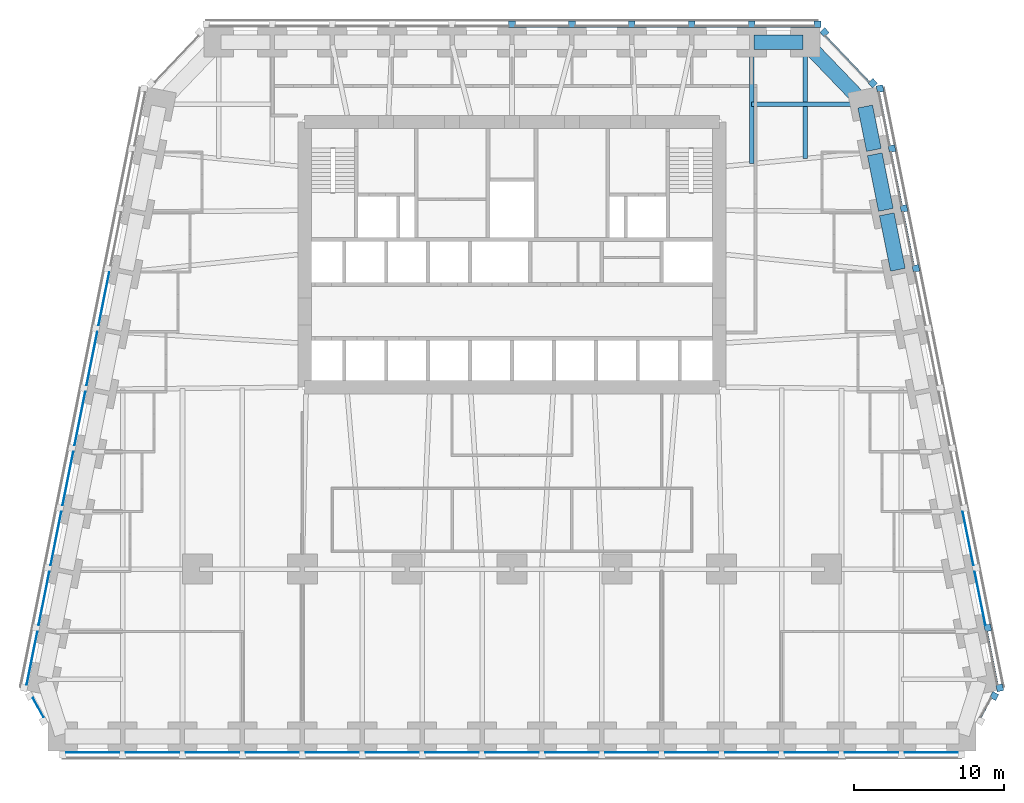
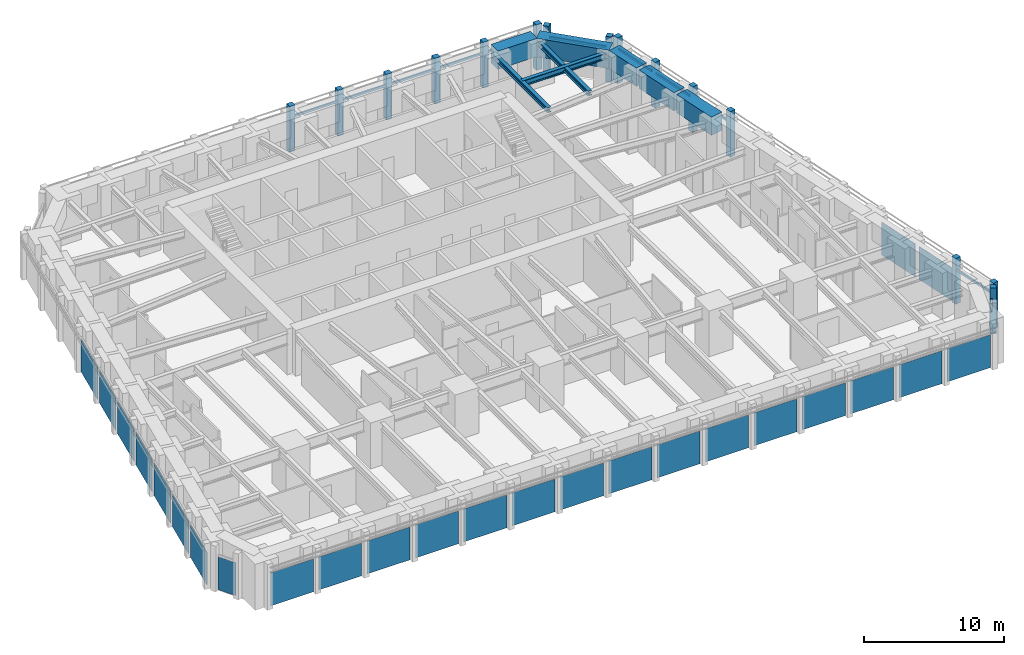
# One storey, part 4 of 10: 26 members, 25 plates, 8 beams, 7 elements without a shape of their own.
"""IFC4 building model written with IfcOpenShell, lengths in metres."""

from ifc_helpers import new_model, si_unit, direction, frame, origin, origin_2d, place, context, subcontext, project, spatial, rectangle, i_section, extrude, material, layer, layer_set, material_profile, profile_set, type_object, element, aggregate, save


model = new_model("IFC4")

# Units and contexts
model_context = context("Model", 3, precision=1e-05, world=origin(), true_north=direction((0.0, 1.0)))
body_context = subcontext(model_context, "Body", "Model", "MODEL_VIEW")
ifc_project = project(units=[si_unit("LENGTHUNIT", "METRE"), si_unit("AREAUNIT", "SQUARE_METRE"), si_unit("VOLUMEUNIT", "CUBIC_METRE"), si_unit("PLANEANGLEUNIT", "RADIAN"), si_unit("MASSUNIT", "GRAM", prefix="KILO")], contexts=[model_context])

# Site, building, storey
site_placement = place(None, origin())
site = spatial("IfcSite", under=ifc_project, at=site_placement, CompositionType="ELEMENT")
building_placement = place(site_placement, origin())
building = spatial("IfcBuilding", under=site, at=building_placement, Name="Isbrekke Arena Tower", CompositionType="ELEMENT")
storey_placement = place(building_placement, frame((0.0, 0.0, 88.0)))
storey = spatial("IfcBuildingStorey", under=building, at=storey_placement, Name="L19", CompositionType="ELEMENT", Elevation=88.0)

# Beams
ifc_material_1 = material(Name="Steel S355", Category="steel")
ifc_material_profile_1 = material_profile(ifc_material_1, i_section(OverallWidth=0.305908203125, OverallDepth=0.52392578125, WebThickness=0.02099609375, FlangeThickness=0.0400390625, FilletRadius=0.027099609375, at=origin_2d()), Name="HEM 500")
ifc_profile_set_1 = profile_set([ifc_material_profile_1], Name="Steel S355")
beam_type_1 = type_object("IfcBeamType", Name="B5 HEM 500", PredefinedType="BEAM", material=ifc_profile_set_1)
beam_1_placement = place(storey_placement, frame((23.40283203125, 25.029296875, 3.488037109375), z_axis=(-1.0, 0.0, 0.0), x_axis=(0.0, -1.0, 0.0)))
element("IfcBeam", 1, at=beam_1_placement, inside=storey, type_object=beam_type_1, Name="B5 beam E-E11 L19", PredefinedType="BEAM", context=body_context, shape_type="SweptSolid", body=[
    extrude(i_section(OverallWidth=0.305908203125, OverallDepth=0.52392578125, WebThickness=0.02099609375, FlangeThickness=0.0400390625, FilletRadius=0.027099609375, at=origin_2d()), origin(), (0.0, 0.0, 1.0), 7.40283203125),
])
ifc_material_2 = material(Name="Steel S355", Category="steel")
ifc_material_profile_2 = material_profile(ifc_material_2, i_section(OverallWidth=0.306884765625, OverallDepth=0.431884765625, WebThickness=0.02099609375, FlangeThickness=0.0400390625, FilletRadius=0.027099609375, at=origin_2d()), Name="HEM 400")
ifc_profile_set_2 = profile_set([ifc_material_profile_2], Name="Steel S355")
beam_type_2 = type_object("IfcBeamType", Name="B6 HEM 400", PredefinedType="BEAM", material=ifc_profile_set_2)
beam_2_placement = place(storey_placement, frame((19.574951171875, 29.02490234375, 3.533935546875), z_axis=(0.0, -1.0, 0.0), x_axis=(1.0, 0.0, 0.0)))
element("IfcBeam", 2, at=beam_2_placement, inside=storey, type_object=beam_type_2, Name="B6 beam N-N01 L19", PredefinedType="BEAM", context=body_context, shape_type="SweptSolid", body=[
    extrude(i_section(OverallWidth=0.306884765625, OverallDepth=0.431884765625, WebThickness=0.02099609375, FlangeThickness=0.0400390625, FilletRadius=0.027099609375, at=origin_2d()), origin(), (0.0, 0.0, 1.0), 7.616943359375),
])
beam_3_placement = place(storey_placement, frame((16.0, 29.02490234375, 3.533935546875), z_axis=(0.0, -1.0, 0.0), x_axis=(1.0, 0.0, 0.0)))
element("IfcBeam", 3, at=beam_3_placement, inside=storey, type_object=beam_type_2, Name="B6 beam N-N02 L19", PredefinedType="BEAM", context=body_context, shape_type="SweptSolid", body=[
    extrude(i_section(OverallWidth=0.306884765625, OverallDepth=0.431884765625, WebThickness=0.02099609375, FlangeThickness=0.0400390625, FilletRadius=0.027099609375, at=origin_2d()), origin(), (0.0, 0.0, 1.0), 7.961181640625),
])

# Curtain wall, member
ifc_material_3 = material(Name="Glazed aluminium curtain wall", Category="aluminium")
curtain_wall_type = type_object("IfcCurtainWallType", Name="CWL TOWER CURTAIN WALL LOW ZONE", PredefinedType="USERDEFINED", material=ifc_material_3)
curtain_wall_1_placement = place(storey_placement, origin())
curtain_wall_1 = element("IfcCurtainWall", 4, at=curtain_wall_1_placement, inside=storey, type_object=curtain_wall_type, Name="CWL curtain wall L19-SE", ObjectType="TOWER CURTAIN WALL LOW ZONE", PredefinedType="USERDEFINED")
ifc_material_4 = material(Name="Aluminium mullion, pale brick slip cladding", Category="masonry")
ifc_material_profile_3 = material_profile(ifc_material_4, rectangle(XDim=0.449951171875, YDim=0.449951171875, at=origin_2d()), Name="PIER 450X450")
ifc_profile_set_3 = profile_set([ifc_material_profile_3], Name="Aluminium mullion, pale brick slip cladding")
member_type_1 = type_object("IfcMemberType", Name="CWL-M PIER MULLION 450 x 450", PredefinedType="MULLION", material=ifc_profile_set_3)
member_1_placement = place(storey_placement, frame((32.195556640625, -14.47509765625, 0.0), z_axis=(0.0, 0.0, 1.0), x_axis=(0.481918749773, 0.876215908676, 0.0)))
member_1 = element("IfcMember", 5, at=member_1_placement, type_object=member_type_1, Name="CWL-M mullion 2", PredefinedType="MULLION", context=body_context, shape_type="SweptSolid", body=[
    extrude(rectangle(XDim=0.449951171875, YDim=0.449951171875, at=origin_2d()), origin(), (0.0, 0.0, 1.0), 4.0),
])

# Curtain wall, members
curtain_wall_2_placement = place(storey_placement, origin())
curtain_wall_2 = element("IfcCurtainWall", 6, at=curtain_wall_2_placement, inside=storey, type_object=curtain_wall_type, Name="CWL curtain wall L19-E", ObjectType="TOWER CURTAIN WALL LOW ZONE", PredefinedType="USERDEFINED")
member_2_placement = place(storey_placement, frame((32.567626953125, -13.926513671875, 0.0), z_axis=(0.0, 0.0, 1.0), x_axis=(-0.196116135138, 0.980580675691, 0.0)))
member_2 = element("IfcMember", 7, at=member_2_placement, type_object=member_type_1, Name="CWL-M mullion 1", PredefinedType="MULLION", context=body_context, shape_type="SweptSolid", body=[
    extrude(rectangle(XDim=0.449951171875, YDim=0.449951171875, at=origin_2d()), origin(), (0.0, 0.0, 1.0), 4.0),
])
member_3_placement = place(storey_placement, frame((31.767822265625, -9.926513671875, 0.0), z_axis=(0.0, 0.0, 1.0), x_axis=(-0.196116135138, 0.980580675691, 0.0)))
member_3 = element("IfcMember", 8, at=member_3_placement, type_object=member_type_1, Name="CWL-M mullion 2", PredefinedType="MULLION", context=body_context, shape_type="SweptSolid", body=[
    extrude(rectangle(XDim=0.449951171875, YDim=0.449951171875, at=origin_2d()), origin(), (0.0, 0.0, 1.0), 4.0),
])
member_4_placement = place(storey_placement, frame((26.9677734375, 14.073486328125, 0.0), z_axis=(0.0, 0.0, 1.0), x_axis=(-0.196116135138, 0.980580675691, 0.0)))
member_4 = element("IfcMember", 9, at=member_4_placement, type_object=member_type_1, Name="CWL-M mullion 8", PredefinedType="MULLION", context=body_context, shape_type="SweptSolid", body=[
    extrude(rectangle(XDim=0.449951171875, YDim=0.449951171875, at=origin_2d()), origin(), (0.0, 0.0, 1.0), 4.0),
])
member_5_placement = place(storey_placement, frame((26.167724609375, 18.073486328125, 0.0), z_axis=(0.0, 0.0, 1.0), x_axis=(-0.196116135138, 0.980580675691, 0.0)))
member_5 = element("IfcMember", 10, at=member_5_placement, type_object=member_type_1, Name="CWL-M mullion 9", PredefinedType="MULLION", context=body_context, shape_type="SweptSolid", body=[
    extrude(rectangle(XDim=0.449951171875, YDim=0.449951171875, at=origin_2d()), origin(), (0.0, 0.0, 1.0), 4.0),
])
member_6_placement = place(storey_placement, frame((25.36767578125, 22.073486328125, 0.0), z_axis=(0.0, 0.0, 1.0), x_axis=(-0.196116135138, 0.980580675691, 0.0)))
member_6 = element("IfcMember", 11, at=member_6_placement, type_object=member_type_1, Name="CWL-M mullion 10", PredefinedType="MULLION", context=body_context, shape_type="SweptSolid", body=[
    extrude(rectangle(XDim=0.449951171875, YDim=0.449951171875, at=origin_2d()), origin(), (0.0, 0.0, 1.0), 4.0),
])
member_7_placement = place(storey_placement, frame((24.567626953125, 26.073486328125, 0.0), z_axis=(0.0, 0.0, 1.0), x_axis=(-0.196116135138, 0.980580675691, 0.0)))
member_7 = element("IfcMember", 12, at=member_7_placement, type_object=member_type_1, Name="CWL-M mullion 11", PredefinedType="MULLION", context=body_context, shape_type="SweptSolid", body=[
    extrude(rectangle(XDim=0.449951171875, YDim=0.449951171875, at=origin_2d()), origin(), (0.0, 0.0, 1.0), 4.0),
])

curtain_wall_3_placement = place(storey_placement, origin())
curtain_wall_3 = element("IfcCurtainWall", 13, at=curtain_wall_3_placement, inside=storey, type_object=curtain_wall_type, Name="CWL curtain wall L19-EN", ObjectType="TOWER CURTAIN WALL LOW ZONE", PredefinedType="USERDEFINED")
member_8_placement = place(storey_placement, frame((24.08837890625, 26.444091796875, 0.0), z_axis=(0.0, 0.0, 1.0), x_axis=(-0.68874946192, 0.72499943359, 0.0)))
member_8 = element("IfcMember", 14, at=member_8_placement, type_object=member_type_1, Name="CWL-M mullion 1", PredefinedType="MULLION", context=body_context, shape_type="SweptSolid", body=[
    extrude(rectangle(XDim=0.449951171875, YDim=0.449951171875, at=origin_2d()), origin(), (0.0, 0.0, 1.0), 4.0),
])
member_9_placement = place(storey_placement, frame((20.86572265625, 29.83642578125, 0.0), z_axis=(0.0, 0.0, 1.0), x_axis=(-0.68874946192, 0.72499943359, 0.0)))
member_9 = element("IfcMember", 15, at=member_9_placement, type_object=member_type_1, Name="CWL-M mullion 2", PredefinedType="MULLION", context=body_context, shape_type="SweptSolid", body=[
    extrude(rectangle(XDim=0.449951171875, YDim=0.449951171875, at=origin_2d()), origin(), (0.0, 0.0, 1.0), 4.0),
])

curtain_wall_4_placement = place(storey_placement, origin())
curtain_wall_4 = element("IfcCurtainWall", 16, at=curtain_wall_4_placement, inside=storey, type_object=curtain_wall_type, Name="CWL curtain wall L19-N", ObjectType="TOWER CURTAIN WALL LOW ZONE", PredefinedType="USERDEFINED")
member_10_placement = place(storey_placement, frame((20.39990234375, 30.375, 0.0), z_axis=(0.0, 0.0, 1.0), x_axis=(-1.0, 0.0, 0.0)))
member_10 = element("IfcMember", 17, at=member_10_placement, type_object=member_type_1, Name="CWL-M mullion 1", PredefinedType="MULLION", context=body_context, shape_type="SweptSolid", body=[
    extrude(rectangle(XDim=0.449951171875, YDim=0.449951171875, at=origin_2d()), origin(), (0.0, 0.0, 1.0), 4.0),
])
member_11_placement = place(storey_placement, frame((16.0, 30.375, 0.0), z_axis=(0.0, 0.0, 1.0), x_axis=(-1.0, 0.0, 0.0)))
member_11 = element("IfcMember", 18, at=member_11_placement, type_object=member_type_1, Name="CWL-M mullion 2", PredefinedType="MULLION", context=body_context, shape_type="SweptSolid", body=[
    extrude(rectangle(XDim=0.449951171875, YDim=0.449951171875, at=origin_2d()), origin(), (0.0, 0.0, 1.0), 4.0),
])
member_12_placement = place(storey_placement, frame((12.0, 30.375, 0.0), z_axis=(0.0, 0.0, 1.0), x_axis=(-1.0, 0.0, 0.0)))
member_12 = element("IfcMember", 19, at=member_12_placement, type_object=member_type_1, Name="CWL-M mullion 3", PredefinedType="MULLION", context=body_context, shape_type="SweptSolid", body=[
    extrude(rectangle(XDim=0.449951171875, YDim=0.449951171875, at=origin_2d()), origin(), (0.0, 0.0, 1.0), 4.0),
])
member_13_placement = place(storey_placement, frame((8.0, 30.375, 0.0), z_axis=(0.0, 0.0, 1.0), x_axis=(-1.0, 0.0, 0.0)))
member_13 = element("IfcMember", 20, at=member_13_placement, type_object=member_type_1, Name="CWL-M mullion 4", PredefinedType="MULLION", context=body_context, shape_type="SweptSolid", body=[
    extrude(rectangle(XDim=0.449951171875, YDim=0.449951171875, at=origin_2d()), origin(), (0.0, 0.0, 1.0), 4.0),
])
member_14_placement = place(storey_placement, frame((4.0, 30.375, 0.0), z_axis=(0.0, 0.0, 1.0), x_axis=(-1.0, 0.0, 0.0)))
member_14 = element("IfcMember", 21, at=member_14_placement, type_object=member_type_1, Name="CWL-M mullion 5", PredefinedType="MULLION", context=body_context, shape_type="SweptSolid", body=[
    extrude(rectangle(XDim=0.449951171875, YDim=0.449951171875, at=origin_2d()), origin(), (0.0, 0.0, 1.0), 4.0),
])
member_15_placement = place(storey_placement, frame((0.0, 30.375, 0.0), z_axis=(0.0, 0.0, 1.0), x_axis=(-1.0, 0.0, 0.0)))
member_15 = element("IfcMember", 22, at=member_15_placement, type_object=member_type_1, Name="CWL-M mullion 6", PredefinedType="MULLION", context=body_context, shape_type="SweptSolid", body=[
    extrude(rectangle(XDim=0.449951171875, YDim=0.449951171875, at=origin_2d()), origin(), (0.0, 0.0, 1.0), 4.0),
])

# Member
ifc_material_5 = material(Name="Aluminium transom", Category="aluminium")
ifc_material_profile_4 = material_profile(ifc_material_5, rectangle(XDim=0.1201171875, YDim=0.199951171875, at=origin_2d()), Name="TRANSOM 120X200")
ifc_profile_set_4 = profile_set([ifc_material_profile_4], Name="Aluminium transom")
member_type_2 = type_object("IfcMemberType", Name="CWL-T TRANSOM 120 x 200", PredefinedType="USERDEFINED", material=ifc_profile_set_4)
member_16_placement = place(storey_placement, frame((31.277099609375, -15.88525390625, 3.0), z_axis=(0.481944543569, 0.876201721594, 0.0), x_axis=(-0.876201721594, 0.481944543569, 0.0)))
member_16 = element("IfcMember", 23, at=member_16_placement, type_object=member_type_2, Name="CWL-T transom 1", ObjectType="TRANSOM", PredefinedType="USERDEFINED", context=body_context, shape_type="SweptSolid", body=[
    extrude(rectangle(XDim=0.1201171875, YDim=0.199951171875, at=origin_2d()), origin(), (0.0, 0.0, 1.0), 1.453369140625),
])

aggregate(curtain_wall_1, [member_1, member_16])

member_17_placement = place(storey_placement, frame((32.401123046875, -13.730224609375, 3.0), z_axis=(-0.196167883278, 0.980570324643, 0.0), x_axis=(-0.980570324643, -0.196167883278, 0.0)))
member_17 = element("IfcMember", 24, at=member_17_placement, type_object=member_type_2, Name="CWL-T transom 1", ObjectType="TRANSOM", PredefinedType="USERDEFINED", context=body_context, shape_type="SweptSolid", body=[
    extrude(rectangle(XDim=0.1201171875, YDim=0.199951171875, at=origin_2d()), origin(), (0.0, 0.0, 1.0), 3.629150390625),
])

member_18_placement = place(storey_placement, frame((26.801025390625, 14.269775390625, 3.0), z_axis=(-0.196103197847, 0.98058326306, 0.0), x_axis=(-0.98058326306, -0.196103197847, 0.0)))
member_18 = element("IfcMember", 25, at=member_18_placement, type_object=member_type_2, Name="CWL-T transom 8", ObjectType="TRANSOM", PredefinedType="USERDEFINED", context=body_context, shape_type="SweptSolid", body=[
    extrude(rectangle(XDim=0.1201171875, YDim=0.199951171875, at=origin_2d()), origin(), (0.0, 0.0, 1.0), 3.629150390625),
])

member_19_placement = place(storey_placement, frame((26.0009765625, 18.269775390625, 3.0), z_axis=(-0.196103197847, 0.98058326306, 0.0), x_axis=(-0.98058326306, -0.196103197847, 0.0)))
member_19 = element("IfcMember", 26, at=member_19_placement, type_object=member_type_2, Name="CWL-T transom 9", ObjectType="TRANSOM", PredefinedType="USERDEFINED", context=body_context, shape_type="SweptSolid", body=[
    extrude(rectangle(XDim=0.1201171875, YDim=0.199951171875, at=origin_2d()), origin(), (0.0, 0.0, 1.0), 3.629150390625),
])

member_20_placement = place(storey_placement, frame((25.200927734375, 22.269775390625, 3.0), z_axis=(-0.196103197847, 0.98058326306, 0.0), x_axis=(-0.98058326306, -0.196103197847, 0.0)))
member_20 = element("IfcMember", 27, at=member_20_placement, type_object=member_type_2, Name="CWL-T transom 10", ObjectType="TRANSOM", PredefinedType="USERDEFINED", context=body_context, shape_type="SweptSolid", body=[
    extrude(rectangle(XDim=0.1201171875, YDim=0.199951171875, at=origin_2d()), origin(), (0.0, 0.0, 1.0), 3.629150390625),
])

member_21_placement = place(storey_placement, frame((23.8427734375, 26.521240234375, 3.0), z_axis=(-0.688776771287, 0.724973488712, 0.0), x_axis=(-0.724973488712, -0.688776771287, 0.0)))
member_21 = element("IfcMember", 28, at=member_21_placement, type_object=member_type_2, Name="CWL-T transom 1", ObjectType="TRANSOM", PredefinedType="USERDEFINED", context=body_context, shape_type="SweptSolid", body=[
    extrude(rectangle(XDim=0.1201171875, YDim=0.199951171875, at=origin_2d()), origin(), (0.0, 0.0, 1.0), 4.22900390625),
])

aggregate(curtain_wall_3, [member_8, member_9, member_21])

member_22_placement = place(storey_placement, frame((20.175048828125, 30.25, 3.0), z_axis=(-1.0, 0.0, 0.0), x_axis=(0.0, -1.0, 0.0)))
member_22 = element("IfcMember", 29, at=member_22_placement, type_object=member_type_2, Name="CWL-T transom 1", ObjectType="TRANSOM", PredefinedType="USERDEFINED", context=body_context, shape_type="SweptSolid", body=[
    extrude(rectangle(XDim=0.1201171875, YDim=0.199951171875, at=origin_2d()), origin(), (0.0, 0.0, 1.0), 3.949951171875),
])

member_23_placement = place(storey_placement, frame((15.77490234375, 30.25, 3.0), z_axis=(-1.0, 0.0, 0.0), x_axis=(0.0, -1.0, 0.0)))
member_23 = element("IfcMember", 30, at=member_23_placement, type_object=member_type_2, Name="CWL-T transom 2", ObjectType="TRANSOM", PredefinedType="USERDEFINED", context=body_context, shape_type="SweptSolid", body=[
    extrude(rectangle(XDim=0.1201171875, YDim=0.199951171875, at=origin_2d()), origin(), (0.0, 0.0, 1.0), 3.5498046875),
])

member_24_placement = place(storey_placement, frame((11.77490234375, 30.25, 3.0), z_axis=(-1.0, 0.0, 0.0), x_axis=(0.0, -1.0, 0.0)))
member_24 = element("IfcMember", 31, at=member_24_placement, type_object=member_type_2, Name="CWL-T transom 3", ObjectType="TRANSOM", PredefinedType="USERDEFINED", context=body_context, shape_type="SweptSolid", body=[
    extrude(rectangle(XDim=0.1201171875, YDim=0.199951171875, at=origin_2d()), origin(), (0.0, 0.0, 1.0), 3.5498046875),
])

member_25_placement = place(storey_placement, frame((7.77490234375, 30.25, 3.0), z_axis=(-1.0, 0.0, 0.0), x_axis=(0.0, -1.0, 0.0)))
member_25 = element("IfcMember", 32, at=member_25_placement, type_object=member_type_2, Name="CWL-T transom 4", ObjectType="TRANSOM", PredefinedType="USERDEFINED", context=body_context, shape_type="SweptSolid", body=[
    extrude(rectangle(XDim=0.1201171875, YDim=0.199951171875, at=origin_2d()), origin(), (0.0, 0.0, 1.0), 3.5498046875),
])

member_26_placement = place(storey_placement, frame((3.77490234375, 30.25, 3.0), z_axis=(-1.0, 0.0, 0.0), x_axis=(0.0, -1.0, 0.0)))
member_26 = element("IfcMember", 33, at=member_26_placement, type_object=member_type_2, Name="CWL-T transom 5", ObjectType="TRANSOM", PredefinedType="USERDEFINED", context=body_context, shape_type="SweptSolid", body=[
    extrude(rectangle(XDim=0.1201171875, YDim=0.199951171875, at=origin_2d()), origin(), (0.0, 0.0, 1.0), 3.5498046875),
])

aggregate(curtain_wall_4, [member_10, member_11, member_12, member_13, member_14, member_15, member_22, member_23, member_24, member_25, member_26])

# Beams
ifc_material_6 = material(Name="Concrete B90 (C90/105)", Category="concrete")
ifc_material_profile_5 = material_profile(ifc_material_6, rectangle(XDim=1.0, YDim=1.60009765625, at=origin_2d()), Name="RC 1000x1600")
ifc_profile_set_5 = profile_set([ifc_material_profile_5], Name="Concrete B90 (C90/105)")
beam_type_3 = type_object("IfcBeamType", Name="SB1 RC 1000 x 1600", PredefinedType="SPANDREL", material=ifc_profile_set_5)
for number, where, z_axis, x_axis, name in (
    (34, (25.76171875, 13.9853515625, 3.199951171875), (-0.196128558387, 0.980578190959, 0.0), (-0.980578190959, -0.196128558387, 0.0), "SB1 spandrel E08-E09 L19"),
    (35, (24.961669921875, 17.9853515625, 3.199951171875), (-0.196128558387, 0.980578190959, 0.0), (-0.980578190959, -0.196128558387, 0.0), "SB1 spandrel E09-E10 L19"),
):
    element("IfcBeam", number, at=place(storey_placement, frame(where, z_axis=z_axis, x_axis=x_axis)), inside=storey, type_object=beam_type_3, Name=name, PredefinedType="SPANDREL", context=body_context, shape_type="SweptSolid", body=[
        extrude(rectangle(XDim=1.0, YDim=1.60009765625, at=origin_2d()), origin(), (0.0, 0.0, 1.0), 3.779296875),
    ])
beam_4_placement = place(storey_placement, frame((24.16162109375, 21.9853515625, 3.199951171875), z_axis=(-0.196116135138, 0.980580675691, 0.0), x_axis=(-0.980580675691, -0.196116135138, 0.0)))
element("IfcBeam", 36, at=beam_4_placement, inside=storey, type_object=beam_type_3, Name="SB1 spandrel E10-E11 L19", PredefinedType="SPANDREL", context=body_context, shape_type="SweptSolid", body=[
    extrude(rectangle(XDim=1.0, YDim=1.60009765625, at=origin_2d()), origin(), (0.0, 0.0, 1.0), 2.9541015625),
])
beam_5_placement = place(storey_placement, frame((23.448974609375, 25.137451171875, 3.199951171875), z_axis=(-0.692339547635, 0.721571861134, 0.0), x_axis=(-0.721571861134, -0.692339547635, 0.0)))
element("IfcBeam", 37, at=beam_5_placement, inside=storey, type_object=beam_type_3, Name="SB1 spandrel E11-N01 L19", PredefinedType="SPANDREL", context=body_context, shape_type="SweptSolid", body=[
    extrude(rectangle(XDim=1.0, YDim=1.60009765625, at=origin_2d()), origin(), (0.0, 0.0, 1.0), 5.4453125),
])
beam_6_placement = place(storey_placement, frame((19.425048828125, 29.175048828125, 3.199951171875), z_axis=(-1.0, 0.0, 0.0), x_axis=(0.0, -1.0, 0.0)))
element("IfcBeam", 38, at=beam_6_placement, inside=storey, type_object=beam_type_3, Name="SB1 spandrel N01-N02 L19", PredefinedType="SPANDREL", context=body_context, shape_type="SweptSolid", body=[
    extrude(rectangle(XDim=1.0, YDim=1.60009765625, at=origin_2d()), origin(), (0.0, 0.0, 1.0), 3.275146484375),
])

# Curtain wall, plates
curtain_wall_5_placement = place(storey_placement, origin())
curtain_wall_5 = element("IfcCurtainWall", 39, at=curtain_wall_5_placement, inside=storey, type_object=curtain_wall_type, Name="CWL curtain wall L19-S", ObjectType="TOWER CURTAIN WALL LOW ZONE", PredefinedType="USERDEFINED")
ifc_material_7 = material(Name="Triple-glazed clear glass unit", Category="glass")
ifc_layer = layer(ifc_material_7, 0.031982421875)
ifc_layer_set = layer_set([ifc_layer], Name="CWL-P VISION PANEL")
plate_type = type_object("IfcPlateType", Name="CWL-P VISION PANEL", PredefinedType="CURTAIN_PANEL", material=ifc_layer_set)
plate_1_placement = place(storey_placement, frame((-28.0, -18.25, 0.02001953125), z_axis=(0.0, 0.0, 1.0), x_axis=(1.0, 0.0, 0.0)))
plate_1 = element("IfcPlate", 40, at=plate_1_placement, type_object=plate_type, Name="CWL-P panel 1", PredefinedType="CURTAIN_PANEL", context=body_context, shape_type="SweptSolid", body=[
    extrude(rectangle(XDim=3.550048828125, YDim=0.031982421875, at=origin_2d()), origin(), (0.0, 0.0, 1.0), 2.8798828125),
])
plate_2_placement = place(storey_placement, frame((-24.0, -18.25, 0.02001953125), z_axis=(0.0, 0.0, 1.0), x_axis=(1.0, 0.0, 0.0)))
plate_2 = element("IfcPlate", 41, at=plate_2_placement, type_object=plate_type, Name="CWL-P panel 2", PredefinedType="CURTAIN_PANEL", context=body_context, shape_type="SweptSolid", body=[
    extrude(rectangle(XDim=3.550048828125, YDim=0.031982421875, at=origin_2d()), origin(), (0.0, 0.0, 1.0), 2.8798828125),
])
plate_3_placement = place(storey_placement, frame((-20.0, -18.25, 0.02001953125), z_axis=(0.0, 0.0, 1.0), x_axis=(1.0, 0.0, 0.0)))
plate_3 = element("IfcPlate", 42, at=plate_3_placement, type_object=plate_type, Name="CWL-P panel 3", PredefinedType="CURTAIN_PANEL", context=body_context, shape_type="SweptSolid", body=[
    extrude(rectangle(XDim=3.550048828125, YDim=0.031982421875, at=origin_2d()), origin(), (0.0, 0.0, 1.0), 2.8798828125),
])
plate_4_placement = place(storey_placement, frame((-16.0, -18.25, 0.02001953125), z_axis=(0.0, 0.0, 1.0), x_axis=(1.0, 0.0, 0.0)))
plate_4 = element("IfcPlate", 43, at=plate_4_placement, type_object=plate_type, Name="CWL-P panel 4", PredefinedType="CURTAIN_PANEL", context=body_context, shape_type="SweptSolid", body=[
    extrude(rectangle(XDim=3.550048828125, YDim=0.031982421875, at=origin_2d()), origin(), (0.0, 0.0, 1.0), 2.8798828125),
])
plate_5_placement = place(storey_placement, frame((-12.0, -18.25, 0.02001953125), z_axis=(0.0, 0.0, 1.0), x_axis=(1.0, 0.0, 0.0)))
plate_5 = element("IfcPlate", 44, at=plate_5_placement, type_object=plate_type, Name="CWL-P panel 5", PredefinedType="CURTAIN_PANEL", context=body_context, shape_type="SweptSolid", body=[
    extrude(rectangle(XDim=3.550048828125, YDim=0.031982421875, at=origin_2d()), origin(), (0.0, 0.0, 1.0), 2.8798828125),
])
plate_6_placement = place(storey_placement, frame((-8.0, -18.25, 0.02001953125), z_axis=(0.0, 0.0, 1.0), x_axis=(1.0, 0.0, 0.0)))
plate_6 = element("IfcPlate", 45, at=plate_6_placement, type_object=plate_type, Name="CWL-P panel 6", PredefinedType="CURTAIN_PANEL", context=body_context, shape_type="SweptSolid", body=[
    extrude(rectangle(XDim=3.550048828125, YDim=0.031982421875, at=origin_2d()), origin(), (0.0, 0.0, 1.0), 2.8798828125),
])
plate_7_placement = place(storey_placement, frame((-4.0, -18.25, 0.02001953125), z_axis=(0.0, 0.0, 1.0), x_axis=(1.0, 0.0, 0.0)))
plate_7 = element("IfcPlate", 46, at=plate_7_placement, type_object=plate_type, Name="CWL-P panel 7", PredefinedType="CURTAIN_PANEL", context=body_context, shape_type="SweptSolid", body=[
    extrude(rectangle(XDim=3.550048828125, YDim=0.031982421875, at=origin_2d()), origin(), (0.0, 0.0, 1.0), 2.8798828125),
])
plate_8_placement = place(storey_placement, frame((0.0, -18.25, 0.02001953125), z_axis=(0.0, 0.0, 1.0), x_axis=(1.0, 0.0, 0.0)))
plate_8 = element("IfcPlate", 47, at=plate_8_placement, type_object=plate_type, Name="CWL-P panel 8", PredefinedType="CURTAIN_PANEL", context=body_context, shape_type="SweptSolid", body=[
    extrude(rectangle(XDim=3.550048828125, YDim=0.031982421875, at=origin_2d()), origin(), (0.0, 0.0, 1.0), 2.8798828125),
])
plate_9_placement = place(storey_placement, frame((4.0, -18.25, 0.02001953125), z_axis=(0.0, 0.0, 1.0), x_axis=(1.0, 0.0, 0.0)))
plate_9 = element("IfcPlate", 48, at=plate_9_placement, type_object=plate_type, Name="CWL-P panel 9", PredefinedType="CURTAIN_PANEL", context=body_context, shape_type="SweptSolid", body=[
    extrude(rectangle(XDim=3.550048828125, YDim=0.031982421875, at=origin_2d()), origin(), (0.0, 0.0, 1.0), 2.8798828125),
])
plate_10_placement = place(storey_placement, frame((8.0, -18.25, 0.02001953125), z_axis=(0.0, 0.0, 1.0), x_axis=(1.0, 0.0, 0.0)))
plate_10 = element("IfcPlate", 49, at=plate_10_placement, type_object=plate_type, Name="CWL-P panel 10", PredefinedType="CURTAIN_PANEL", context=body_context, shape_type="SweptSolid", body=[
    extrude(rectangle(XDim=3.550048828125, YDim=0.031982421875, at=origin_2d()), origin(), (0.0, 0.0, 1.0), 2.8798828125),
])
plate_11_placement = place(storey_placement, frame((12.0, -18.25, 0.02001953125), z_axis=(0.0, 0.0, 1.0), x_axis=(1.0, 0.0, 0.0)))
plate_11 = element("IfcPlate", 50, at=plate_11_placement, type_object=plate_type, Name="CWL-P panel 11", PredefinedType="CURTAIN_PANEL", context=body_context, shape_type="SweptSolid", body=[
    extrude(rectangle(XDim=3.550048828125, YDim=0.031982421875, at=origin_2d()), origin(), (0.0, 0.0, 1.0), 2.8798828125),
])
plate_12_placement = place(storey_placement, frame((16.0, -18.25, 0.02001953125), z_axis=(0.0, 0.0, 1.0), x_axis=(1.0, 0.0, 0.0)))
plate_12 = element("IfcPlate", 51, at=plate_12_placement, type_object=plate_type, Name="CWL-P panel 12", PredefinedType="CURTAIN_PANEL", context=body_context, shape_type="SweptSolid", body=[
    extrude(rectangle(XDim=3.550048828125, YDim=0.031982421875, at=origin_2d()), origin(), (0.0, 0.0, 1.0), 2.8798828125),
])
plate_13_placement = place(storey_placement, frame((20.0, -18.25, 0.02001953125), z_axis=(0.0, 0.0, 1.0), x_axis=(1.0, 0.0, 0.0)))
plate_13 = element("IfcPlate", 52, at=plate_13_placement, type_object=plate_type, Name="CWL-P panel 13", PredefinedType="CURTAIN_PANEL", context=body_context, shape_type="SweptSolid", body=[
    extrude(rectangle(XDim=3.550048828125, YDim=0.031982421875, at=origin_2d()), origin(), (0.0, 0.0, 1.0), 2.8798828125),
])
plate_14_placement = place(storey_placement, frame((24.0, -18.25, 0.02001953125), z_axis=(0.0, 0.0, 1.0), x_axis=(1.0, 0.0, 0.0)))
plate_14 = element("IfcPlate", 53, at=plate_14_placement, type_object=plate_type, Name="CWL-P panel 14", PredefinedType="CURTAIN_PANEL", context=body_context, shape_type="SweptSolid", body=[
    extrude(rectangle(XDim=3.550048828125, YDim=0.031982421875, at=origin_2d()), origin(), (0.0, 0.0, 1.0), 2.8798828125),
])
plate_15_placement = place(storey_placement, frame((28.0, -18.25, 0.02001953125), z_axis=(0.0, 0.0, 1.0), x_axis=(1.0, 0.0, 0.0)))
plate_15 = element("IfcPlate", 54, at=plate_15_placement, type_object=plate_type, Name="CWL-P panel 15", PredefinedType="CURTAIN_PANEL", context=body_context, shape_type="SweptSolid", body=[
    extrude(rectangle(XDim=3.550048828125, YDim=0.031982421875, at=origin_2d()), origin(), (0.0, 0.0, 1.0), 2.8798828125),
])
aggregate(curtain_wall_5, [plate_1, plate_2, plate_3, plate_4, plate_5, plate_6, plate_7, plate_8, plate_9, plate_10, plate_11, plate_12, plate_13, plate_14, plate_15])

# Plate
plate_16_placement = place(storey_placement, frame((31.2451171875, -7.950927734375, 0.02001953125), z_axis=(0.0, 0.0, 1.0), x_axis=(-0.196116135138, 0.980580675691, 0.0)))
plate_16 = element("IfcPlate", 55, at=plate_16_placement, type_object=plate_type, Name="CWL-P panel 2", PredefinedType="CURTAIN_PANEL", context=body_context, shape_type="SweptSolid", body=[
    extrude(rectangle(XDim=3.629150390625, YDim=0.031982421875, at=origin_2d()), origin(), (0.0, 0.0, 1.0), 2.8798828125),
])

plate_17_placement = place(storey_placement, frame((30.445068359375, -3.950927734375, 0.02001953125), z_axis=(0.0, 0.0, 1.0), x_axis=(-0.196116135138, 0.980580675691, 0.0)))
plate_17 = element("IfcPlate", 56, at=plate_17_placement, type_object=plate_type, Name="CWL-P panel 3", PredefinedType="CURTAIN_PANEL", context=body_context, shape_type="SweptSolid", body=[
    extrude(rectangle(XDim=3.629150390625, YDim=0.031982421875, at=origin_2d()), origin(), (0.0, 0.0, 1.0), 2.8798828125),
])

aggregate(curtain_wall_2, [member_2, member_3, member_4, member_5, member_6, member_7, member_17, plate_16, plate_17, member_18, member_19, member_20])

# Curtain wall, plates
curtain_wall_6_placement = place(storey_placement, origin())
curtain_wall_6 = element("IfcCurtainWall", 57, at=curtain_wall_6_placement, inside=storey, type_object=curtain_wall_type, Name="CWL curtain wall L19-W", ObjectType="TOWER CURTAIN WALL LOW ZONE", PredefinedType="USERDEFINED")
plate_18_placement = place(storey_placement, frame((-27.2451171875, 12.049072265625, 0.02001953125), z_axis=(0.0, 0.0, 1.0), x_axis=(-0.196116135138, -0.980580675691, 0.0)))
plate_18 = element("IfcPlate", 58, at=plate_18_placement, type_object=plate_type, Name="CWL-P panel 4", PredefinedType="CURTAIN_PANEL", context=body_context, shape_type="SweptSolid", body=[
    extrude(rectangle(XDim=3.629150390625, YDim=0.031982421875, at=origin_2d()), origin(), (0.0, 0.0, 1.0), 2.8798828125),
])
plate_19_placement = place(storey_placement, frame((-28.045166015625, 8.049072265625, 0.02001953125), z_axis=(0.0, 0.0, 1.0), x_axis=(-0.196116135138, -0.980580675691, 0.0)))
plate_19 = element("IfcPlate", 59, at=plate_19_placement, type_object=plate_type, Name="CWL-P panel 5", PredefinedType="CURTAIN_PANEL", context=body_context, shape_type="SweptSolid", body=[
    extrude(rectangle(XDim=3.629150390625, YDim=0.031982421875, at=origin_2d()), origin(), (0.0, 0.0, 1.0), 2.8798828125),
])
plate_20_placement = place(storey_placement, frame((-28.84521484375, 4.049072265625, 0.02001953125), z_axis=(0.0, 0.0, 1.0), x_axis=(-0.196116135138, -0.980580675691, 0.0)))
plate_20 = element("IfcPlate", 60, at=plate_20_placement, type_object=plate_type, Name="CWL-P panel 6", PredefinedType="CURTAIN_PANEL", context=body_context, shape_type="SweptSolid", body=[
    extrude(rectangle(XDim=3.629150390625, YDim=0.031982421875, at=origin_2d()), origin(), (0.0, 0.0, 1.0), 2.8798828125),
])
plate_21_placement = place(storey_placement, frame((-29.645263671875, 0.049072265625, 0.02001953125), z_axis=(0.0, 0.0, 1.0), x_axis=(-0.196116135138, -0.980580675691, 0.0)))
plate_21 = element("IfcPlate", 61, at=plate_21_placement, type_object=plate_type, Name="CWL-P panel 7", PredefinedType="CURTAIN_PANEL", context=body_context, shape_type="SweptSolid", body=[
    extrude(rectangle(XDim=3.629150390625, YDim=0.031982421875, at=origin_2d()), origin(), (0.0, 0.0, 1.0), 2.8798828125),
])
plate_22_placement = place(storey_placement, frame((-30.445068359375, -3.950927734375, 0.02001953125), z_axis=(0.0, 0.0, 1.0), x_axis=(-0.196116135138, -0.980580675691, 0.0)))
plate_22 = element("IfcPlate", 62, at=plate_22_placement, type_object=plate_type, Name="CWL-P panel 8", PredefinedType="CURTAIN_PANEL", context=body_context, shape_type="SweptSolid", body=[
    extrude(rectangle(XDim=3.629150390625, YDim=0.031982421875, at=origin_2d()), origin(), (0.0, 0.0, 1.0), 2.8798828125),
])
plate_23_placement = place(storey_placement, frame((-31.2451171875, -7.950927734375, 0.02001953125), z_axis=(0.0, 0.0, 1.0), x_axis=(-0.196116135138, -0.980580675691, 0.0)))
plate_23 = element("IfcPlate", 63, at=plate_23_placement, type_object=plate_type, Name="CWL-P panel 9", PredefinedType="CURTAIN_PANEL", context=body_context, shape_type="SweptSolid", body=[
    extrude(rectangle(XDim=3.629150390625, YDim=0.031982421875, at=origin_2d()), origin(), (0.0, 0.0, 1.0), 2.8798828125),
])
plate_24_placement = place(storey_placement, frame((-32.045166015625, -11.950927734375, 0.02001953125), z_axis=(0.0, 0.0, 1.0), x_axis=(-0.196116135138, -0.980580675691, 0.0)))
plate_24 = element("IfcPlate", 64, at=plate_24_placement, type_object=plate_type, Name="CWL-P panel 10", PredefinedType="CURTAIN_PANEL", context=body_context, shape_type="SweptSolid", body=[
    extrude(rectangle(XDim=3.629150390625, YDim=0.031982421875, at=origin_2d()), origin(), (0.0, 0.0, 1.0), 2.8798828125),
])
aggregate(curtain_wall_6, [plate_18, plate_19, plate_20, plate_21, plate_22, plate_23, plate_24])

# Curtain wall, plate
curtain_wall_7_placement = place(storey_placement, origin())
curtain_wall_7 = element("IfcCurtainWall", 65, at=curtain_wall_7_placement, inside=storey, type_object=curtain_wall_type, Name="CWL curtain wall L19-WS", ObjectType="TOWER CURTAIN WALL LOW ZONE", PredefinedType="USERDEFINED")
plate_25_placement = place(storey_placement, frame((-31.627197265625, -15.2490234375, 0.02001953125), z_axis=(0.0, 0.0, 1.0), x_axis=(0.481918749773, -0.876215908676, 0.0)))
plate_25 = element("IfcPlate", 66, at=plate_25_placement, type_object=plate_type, Name="CWL-P panel 1", PredefinedType="CURTAIN_PANEL", context=body_context, shape_type="SweptSolid", body=[
    extrude(rectangle(XDim=1.455322265625, YDim=0.031982421875, at=origin_2d()), origin(), (0.0, 0.0, 1.0), 2.8798828125),
])
aggregate(curtain_wall_7, [plate_25])

save(model, "model.ifc")
